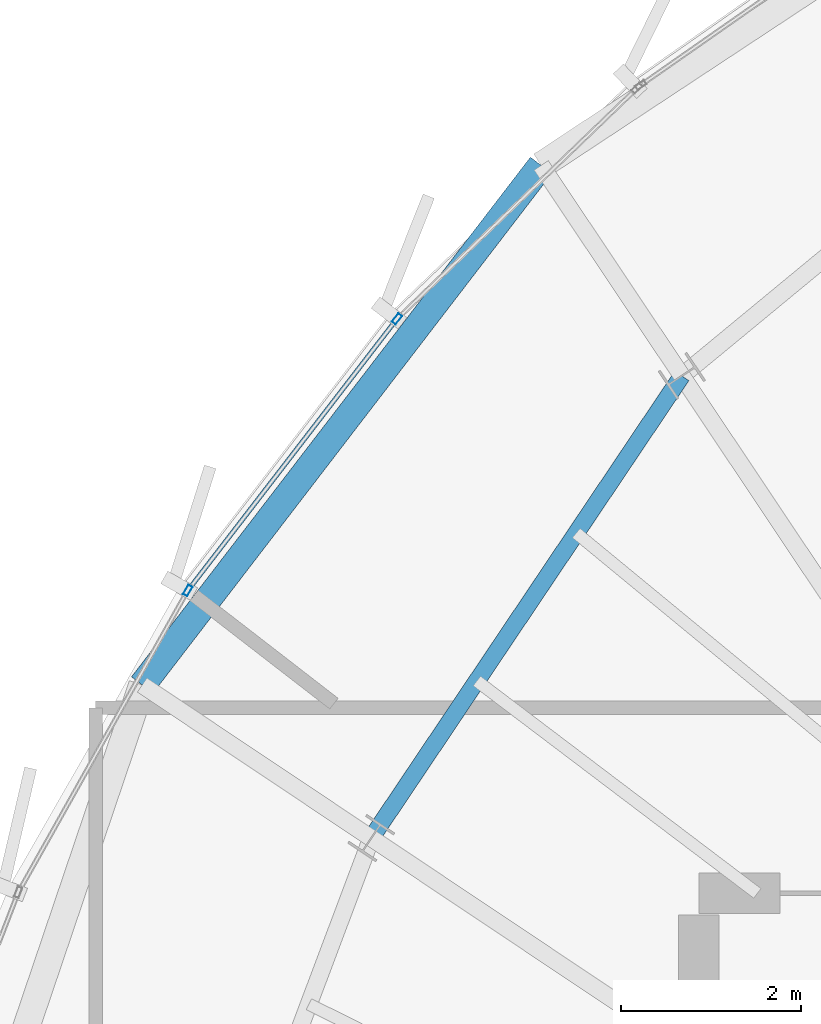
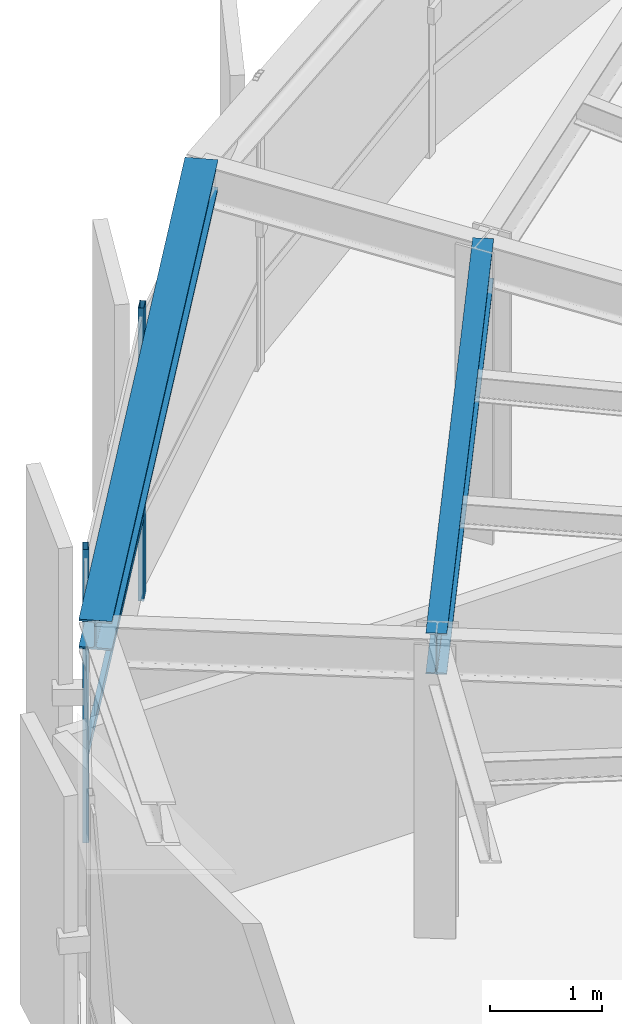
# One storey, part 17 of 30: 3 members, 2 beams, 1 element without a shape of its own.
"""IFC4 building model written with IfcOpenShell, lengths in metres."""

from ifc_helpers import new_model, si_unit, direction, frame, origin, origin_2d, place, context, subcontext, project, spatial, hollow_rectangle, i_section, extrude, source, transform, mapped, material, layer, layer_set, material_profile, profile_set, type_object, element, aggregate, save


model = new_model("IFC4")

# Units and contexts
model_context = context("Model", 3, precision=1e-05, world=origin(), true_north=direction((0.0, 1.0)))
body_context = subcontext(model_context, "Body", "Model", "MODEL_VIEW")
ifc_project = project(units=[si_unit("LENGTHUNIT", "METRE"), si_unit("AREAUNIT", "SQUARE_METRE"), si_unit("VOLUMEUNIT", "CUBIC_METRE"), si_unit("PLANEANGLEUNIT", "RADIAN"), si_unit("MASSUNIT", "GRAM", prefix="KILO"), si_unit("THERMODYNAMICTEMPERATUREUNIT", "KELVIN")], contexts=[model_context])

# Site, building, storey
site_placement = place(None, origin())
site = spatial("IfcSite", under=ifc_project, at=site_placement, CompositionType="ELEMENT")
building_placement = place(site_placement, origin())
building = spatial("IfcBuilding", under=site, at=building_placement, Name="Kethvar Cultural Tower", CompositionType="ELEMENT")
storey_placement = place(building_placement, frame((0.0, 0.0, 293.949951171875)))
storey = spatial("IfcBuildingStorey", under=building, at=storey_placement, Name="L78", CompositionType="ELEMENT", Elevation=293.949951171875)

# Beams
ifc_material_1 = material(Name="Steel S355J2", Category="steel")
ifc_material_profile_1 = material_profile(ifc_material_1, i_section(OverallWidth=0.18994140625, OverallDepth=0.449951171875, WebThickness=0.009521484375, FlangeThickness=0.0146484375, FilletRadius=0.02099609375, at=origin_2d()), Name="Steel S355J2 — IPE450")
ifc_profile_set_1 = profile_set([ifc_material_profile_1], Name="Steel S355J2 — IPE450")
beam_type_1 = type_object("IfcBeamType", Name="BM-IPE450", PredefinedType="BEAM", material=ifc_profile_set_1)
shared_shape_1 = source(origin(), body_context, "Body", "SweptSolid", [
    extrude(i_section(OverallWidth=0.18994140625, OverallDepth=0.449951171875, WebThickness=0.009521484375, FlangeThickness=0.0146484375, FilletRadius=0.02099609375, at=origin_2d()), origin(), (0.0, 0.0, 1.0), 6.192626953125),
])
beam_1_placement = place(storey_placement, frame((37.8095703125, 41.255126953125, 2.983154296875), z_axis=(-0.557698912025, -0.830043326295, 0.0), x_axis=(0.830043326295, -0.557698912025, 0.0)))
element("IfcBeam", 1, at=beam_1_placement, inside=storey, type_object=beam_type_1, Name="L78 Column Ring Tie Beam CR-06", PredefinedType="BEAM", context=body_context, shape_type="MappedRepresentation", body=[
    mapped(shared_shape_1, transform((0.0, 0.0, 0.0), scale=1.0)),
])
ifc_material_profile_2 = material_profile(ifc_material_1, i_section(OverallWidth=0.300048828125, OverallDepth=0.320068359375, WebThickness=0.011474609375, FlangeThickness=0.0205078125, FilletRadius=0.027099609375, at=origin_2d()), Name="Steel S355J2 — HEB320")
ifc_profile_set_2 = profile_set([ifc_material_profile_2], Name="Steel S355J2 — HEB320")
beam_type_2 = type_object("IfcBeamType", Name="BM-SP320", PredefinedType="SPANDREL", material=ifc_profile_set_2)
shared_shape_2 = source(origin(), body_context, "Body", "SweptSolid", [
    extrude(i_section(OverallWidth=0.300048828125, OverallDepth=0.320068359375, WebThickness=0.011474609375, FlangeThickness=0.0205078125, FilletRadius=0.027099609375, at=origin_2d()), origin(), (0.0, 0.0, 1.0), 7.2861328125),
])
beam_2_placement = place(storey_placement, frame((36.244873046875, 43.5966796875, 3.048095703125), z_axis=(-0.608931573081, -0.793222755161, 0.0), x_axis=(0.793222755161, -0.608931573081, 0.0)))
element("IfcBeam", 2, at=beam_2_placement, inside=storey, type_object=beam_type_2, Name="L78 Perimeter Spandrel Beam SP-06", PredefinedType="SPANDREL", context=body_context, shape_type="MappedRepresentation", body=[
    mapped(shared_shape_2, transform((0.0, 0.0, 0.0), scale=1.0)),
])

# Curtain wall, members
ifc_material_2 = material(Name="Aluminium 6063-T6", Category="aluminium")
ifc_layer = layer(ifc_material_2, 0.179931640625, Name="Aluminium 6063-T6", Category="aluminium")
ifc_layer_set = layer_set([ifc_layer], Name="Aluminium 6063-T6 (180 mm)")
curtain_wall_type = type_object("IfcCurtainWallType", Name="CW-SYS-05-Z56", PredefinedType="NOTDEFINED", material=ifc_layer_set)
curtain_wall_placement = place(storey_placement, origin())
curtain_wall = element("IfcCurtainWall", 3, at=curtain_wall_placement, inside=storey, type_object=curtain_wall_type, Name="L78 Curtain Wall Run 02", PredefinedType="NOTDEFINED")
ifc_material_profile_3 = material_profile(ifc_material_2, hollow_rectangle(XDim=0.054931640625, YDim=0.1201171875, WallThickness=0.00390625, at=origin_2d()), Name="Aluminium 6063-T6 — RHS120x55x4")
ifc_profile_set_3 = profile_set([ifc_material_profile_3], Name="Aluminium 6063-T6 — RHS120x55x4")
member_type_1 = type_object("IfcMemberType", Name="CW-SYS-05-Z56-MUL", PredefinedType="MULLION", material=ifc_profile_set_3)
shared_shape_3 = source(origin(), body_context, "Body", "SweptSolid", [
    extrude(hollow_rectangle(XDim=0.054931640625, YDim=0.1201171875, WallThickness=0.00390625, at=origin_2d()), origin(), (0.0, 0.0, 1.0), 3.2099609375),
])
member_1_placement = place(storey_placement, frame((34.640380859375, 41.887939453125, 0.0), z_axis=(0.0, 0.0, 1.0), x_axis=(0.792428060507, -0.60996538338, 0.0)))
member_1 = element("IfcMember", 4, at=member_1_placement, type_object=member_type_1, Name="CW-L78-R02 Mullion 2", PredefinedType="MULLION", context=body_context, shape_type="MappedRepresentation", body=[
    mapped(shared_shape_3, transform((0.0, 0.0, 0.0), scale=1.0)),
])
member_2_placement = place(storey_placement, frame((32.314697265625, 38.8681640625, 0.0), z_axis=(0.0, 0.0, 1.0), x_axis=(0.872043647231, -0.489428112518, 0.0)))
member_2 = element("IfcMember", 5, at=member_2_placement, type_object=member_type_1, Name="CW-L78-R02 Mullion 3", PredefinedType="MULLION", context=body_context, shape_type="MappedRepresentation", body=[
    mapped(shared_shape_3, transform((0.0, 0.0, 0.0), scale=1.0)),
])
ifc_material_profile_4 = material_profile(ifc_material_2, hollow_rectangle(XDim=0.050048828125, YDim=0.10009765625, WallThickness=0.00390625, at=origin_2d()), Name="Aluminium 6063-T6 — RHS100x50x4")
ifc_profile_set_4 = profile_set([ifc_material_profile_4], Name="Aluminium 6063-T6 — RHS100x50x4")
member_type_2 = type_object("IfcMemberType", Name="CW-SYS-05-Z56-TRN", PredefinedType="USERDEFINED", material=ifc_profile_set_4)
shared_shape_4 = source(origin(), body_context, "Body", "SweptSolid", [
    extrude(hollow_rectangle(XDim=0.050048828125, YDim=0.10009765625, WallThickness=0.00390625, at=origin_2d()), origin(), (0.0, 0.0, 1.0), 3.7470703125),
])
member_3_placement = place(storey_placement, frame((34.616455078125, 41.856689453125, 0.949951171875), z_axis=(-0.609981518348, -0.792415640478, 0.0), x_axis=(0.792415640478, -0.609981518348, 0.0)))
member_3 = element("IfcMember", 6, at=member_3_placement, type_object=member_type_2, Name="CW-L78-R02 Transom 2", ObjectType="TRANSOM", PredefinedType="USERDEFINED", context=body_context, shape_type="MappedRepresentation", body=[
    mapped(shared_shape_4, transform((0.0, 0.0, 0.0), scale=1.0)),
])
aggregate(curtain_wall, [member_1, member_2, member_3])

save(model, "model.ifc")
